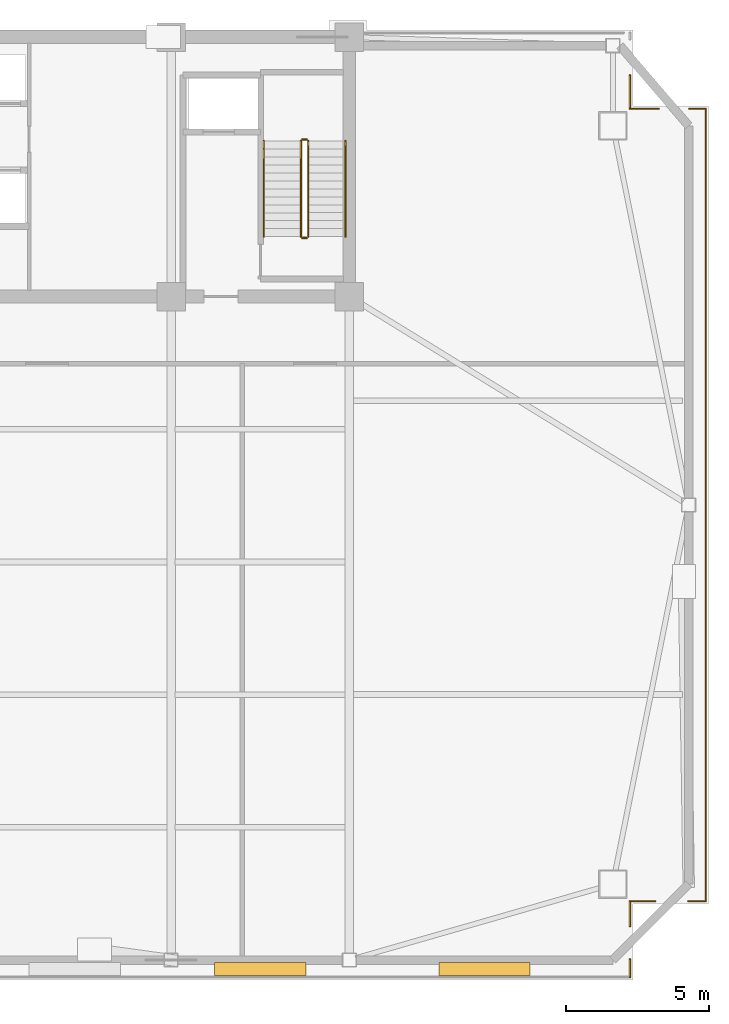
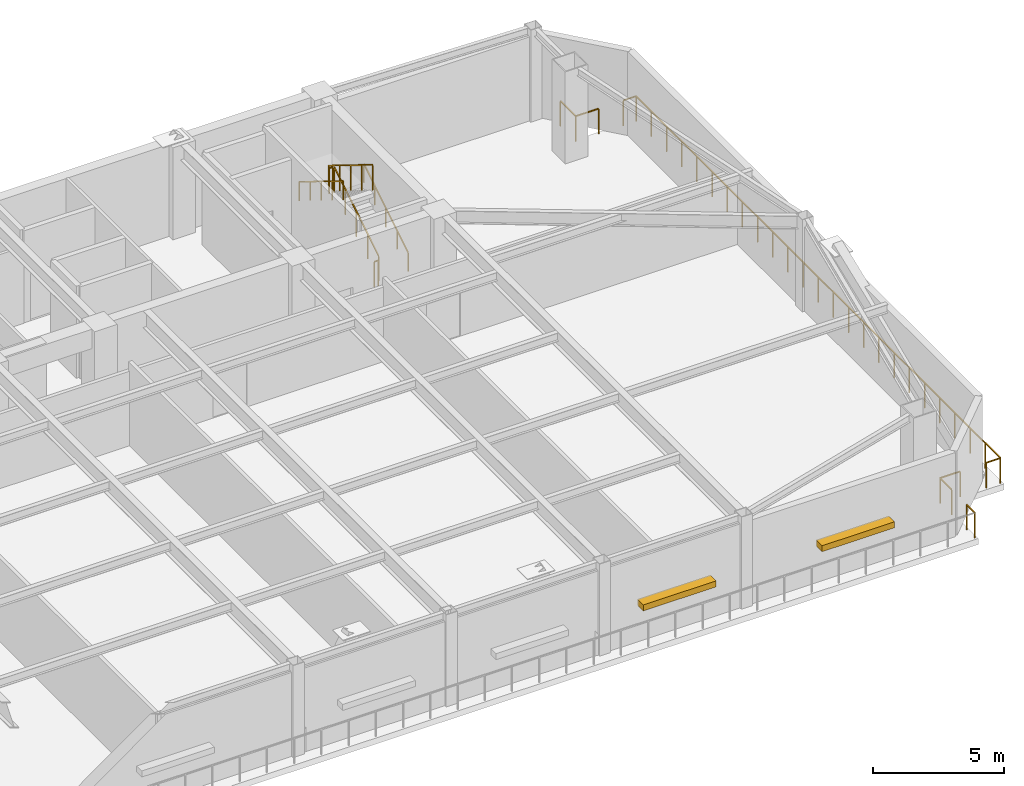
# One storey, part 7 of 9: 14 railings, 2 shading devices.
"""IFC4 building model written with IfcOpenShell, lengths in metres."""

from ifc_helpers import new_model, si_unit, direction, frame, origin, origin_2d, place, context, subcontext, project, spatial, rectangle, extrude, source, transform, mapped, material, type_object, element, save


model = new_model("IFC4")

# Units and contexts
model_context = context("Model", 3, precision=1e-05, world=origin(), true_north=direction((0.0, 1.0)))
body_context = subcontext(model_context, "Body", "Model", "MODEL_VIEW")
ifc_project = project(units=[si_unit("LENGTHUNIT", "METRE"), si_unit("AREAUNIT", "SQUARE_METRE"), si_unit("VOLUMEUNIT", "CUBIC_METRE"), si_unit("PLANEANGLEUNIT", "RADIAN"), si_unit("MASSUNIT", "GRAM", prefix="KILO")], contexts=[model_context])

# Site, building, storey
site_placement = place(None, origin())
site = spatial("IfcSite", under=ifc_project, at=site_placement, CompositionType="ELEMENT")
building_placement = place(site_placement, origin())
building = spatial("IfcBuilding", under=site, at=building_placement, Name="Giltprow Tower", CompositionType="ELEMENT")
storey_placement = place(building_placement, frame((0.0, 0.0, 237.199951171875)))
storey = spatial("IfcBuildingStorey", under=building, at=storey_placement, Name="L60", CompositionType="ELEMENT", Elevation=237.199951171875)

# Railings
ifc_material = material(Name="Anodized bronze", Category="metal")
railing_type_1 = type_object("IfcRailingType", Name="RAIL-BALC-GUARD-1200", PredefinedType="BALUSTRADE", material=ifc_material)
railing_1_placement = place(storey_placement, frame((63.052001953125, 44.0390625, 0.0)))
element("IfcRailing", 1, at=railing_1_placement, inside=storey, type_object=railing_type_1, Name="L60 Corner Apron Edge Balustrade 1", PredefinedType="BALUSTRADE", context=body_context, shape_type="SweptSolid", body=[
    extrude(rectangle(XDim=0.048095703125, YDim=0.048095703125, at=origin_2d()), frame((0.0, 0.0, 1.17578125), z_axis=(0.0, -1.0, 0.0), x_axis=(1.0, 0.0, 0.0)), (0.0, 0.0, 1.0), 27.796142578125),
    extrude(rectangle(XDim=0.0419921875, YDim=0.0419921875, at=origin_2d()), origin(), (0.0, 0.0, 1.0), 1.15185546875),
    extrude(rectangle(XDim=0.0419921875, YDim=0.0419921875, at=origin_2d()), frame((0.0, -1.158203125, 0.0)), (0.0, 0.0, 1.0), 1.15185546875),
    extrude(rectangle(XDim=0.0419921875, YDim=0.0419921875, at=origin_2d()), frame((0.0, -2.31640625, 0.0)), (0.0, 0.0, 1.0), 1.15185546875),
    extrude(rectangle(XDim=0.0419921875, YDim=0.0419921875, at=origin_2d()), frame((0.0, -3.474609375, 0.0)), (0.0, 0.0, 1.0), 1.15185546875),
    extrude(rectangle(XDim=0.0419921875, YDim=0.0419921875, at=origin_2d()), frame((0.0, -4.6328125, 0.0)), (0.0, 0.0, 1.0), 1.15185546875),
    extrude(rectangle(XDim=0.0419921875, YDim=0.0419921875, at=origin_2d()), frame((0.0, -5.790771484375, 0.0)), (0.0, 0.0, 1.0), 1.15185546875),
    extrude(rectangle(XDim=0.0419921875, YDim=0.0419921875, at=origin_2d()), frame((0.0, -6.948974609375, 0.0)), (0.0, 0.0, 1.0), 1.15185546875),
    extrude(rectangle(XDim=0.0419921875, YDim=0.0419921875, at=origin_2d()), frame((0.0, -8.107177734375, 0.0)), (0.0, 0.0, 1.0), 1.15185546875),
    extrude(rectangle(XDim=0.0419921875, YDim=0.0419921875, at=origin_2d()), frame((0.0, -9.265380859375, 0.0)), (0.0, 0.0, 1.0), 1.15185546875),
    extrude(rectangle(XDim=0.0419921875, YDim=0.0419921875, at=origin_2d()), frame((0.0, -10.423583984375, 0.0)), (0.0, 0.0, 1.0), 1.15185546875),
    extrude(rectangle(XDim=0.0419921875, YDim=0.0419921875, at=origin_2d()), frame((0.0, -11.581787109375, 0.0)), (0.0, 0.0, 1.0), 1.15185546875),
    extrude(rectangle(XDim=0.0419921875, YDim=0.0419921875, at=origin_2d()), frame((0.0, -12.739990234375, 0.0)), (0.0, 0.0, 1.0), 1.15185546875),
    extrude(rectangle(XDim=0.0419921875, YDim=0.0419921875, at=origin_2d()), frame((0.0, -13.89794921875, 0.0)), (0.0, 0.0, 1.0), 1.15185546875),
    extrude(rectangle(XDim=0.0419921875, YDim=0.0419921875, at=origin_2d()), frame((0.0, -15.05615234375, 0.0)), (0.0, 0.0, 1.0), 1.15185546875),
    extrude(rectangle(XDim=0.0419921875, YDim=0.0419921875, at=origin_2d()), frame((0.0, -16.21435546875, 0.0)), (0.0, 0.0, 1.0), 1.15185546875),
    extrude(rectangle(XDim=0.0419921875, YDim=0.0419921875, at=origin_2d()), frame((0.0, -17.37255859375, 0.0)), (0.0, 0.0, 1.0), 1.15185546875),
    extrude(rectangle(XDim=0.0419921875, YDim=0.0419921875, at=origin_2d()), frame((0.0, -18.53076171875, 0.0)), (0.0, 0.0, 1.0), 1.15185546875),
    extrude(rectangle(XDim=0.0419921875, YDim=0.0419921875, at=origin_2d()), frame((0.0, -19.68896484375, 0.0)), (0.0, 0.0, 1.0), 1.15185546875),
    extrude(rectangle(XDim=0.0419921875, YDim=0.0419921875, at=origin_2d()), frame((0.0, -20.84716796875, 0.0)), (0.0, 0.0, 1.0), 1.15185546875),
    extrude(rectangle(XDim=0.0419921875, YDim=0.0419921875, at=origin_2d()), frame((0.0, -22.00537109375, 0.0)), (0.0, 0.0, 1.0), 1.15185546875),
    extrude(rectangle(XDim=0.0419921875, YDim=0.0419921875, at=origin_2d()), frame((0.0, -23.16357421875, 0.0)), (0.0, 0.0, 1.0), 1.15185546875),
    extrude(rectangle(XDim=0.0419921875, YDim=0.0419921875, at=origin_2d()), frame((0.0, -24.321533203125, 0.0)), (0.0, 0.0, 1.0), 1.15185546875),
    extrude(rectangle(XDim=0.0419921875, YDim=0.0419921875, at=origin_2d()), frame((0.0, -25.479736328125, 0.0)), (0.0, 0.0, 1.0), 1.15185546875),
    extrude(rectangle(XDim=0.0419921875, YDim=0.0419921875, at=origin_2d()), frame((0.0, -26.637939453125, 0.0)), (0.0, 0.0, 1.0), 1.15185546875),
    extrude(rectangle(XDim=0.0419921875, YDim=0.0419921875, at=origin_2d()), frame((0.0, -27.796142578125, 0.0)), (0.0, 0.0, 1.0), 1.15185546875),
])
railing_2_placement = place(storey_placement, frame((63.052001953125, 16.242919921875, 0.0)))
element("IfcRailing", 2, at=railing_2_placement, inside=storey, type_object=railing_type_1, Name="L60 Corner Apron Edge Balustrade 2", PredefinedType="BALUSTRADE", context=body_context, shape_type="SweptSolid", body=[
    extrude(rectangle(XDim=0.048095703125, YDim=0.048095703125, at=origin_2d()), frame((0.0, 0.0, 1.17578125), z_axis=(-1.0, 0.0, 0.0), x_axis=(0.0, -1.0, 0.0)), (0.0, 0.0, 1.0), 0.6201171875),
    extrude(rectangle(XDim=0.0419921875, YDim=0.0419921875, at=origin_2d()), origin(), (0.0, 0.0, 1.0), 1.15185546875),
    extrude(rectangle(XDim=0.0419921875, YDim=0.0419921875, at=origin_2d()), frame((-0.6201171875, 0.0, 0.0)), (0.0, 0.0, 1.0), 1.15185546875),
])
railing_3_placement = place(storey_placement, frame((61.27197265625, 16.242919921875, 0.0)))
element("IfcRailing", 3, at=railing_3_placement, inside=storey, type_object=railing_type_1, Name="L60 Corner Apron Edge Balustrade 3", PredefinedType="BALUSTRADE", context=body_context, shape_type="SweptSolid", body=[
    extrude(rectangle(XDim=0.048095703125, YDim=0.048095703125, at=origin_2d()), frame((0.0, 0.0, 1.17578125), z_axis=(-1.0, 0.0, 0.0), x_axis=(0.0, -1.0, 0.0)), (0.0, 0.0, 1.0), 0.880859375),
    extrude(rectangle(XDim=0.0419921875, YDim=0.0419921875, at=origin_2d()), origin(), (0.0, 0.0, 1.0), 1.15185546875),
    extrude(rectangle(XDim=0.0419921875, YDim=0.0419921875, at=origin_2d()), frame((-0.880859375, 0.0, 0.0)), (0.0, 0.0, 1.0), 1.15185546875),
])
railing_4_placement = place(storey_placement, frame((60.39111328125, 16.242919921875, 0.0)))
element("IfcRailing", 4, at=railing_4_placement, inside=storey, type_object=railing_type_1, Name="L60 Corner Apron Edge Balustrade 4", PredefinedType="BALUSTRADE", context=body_context, shape_type="SweptSolid", body=[
    extrude(rectangle(XDim=0.048095703125, YDim=0.048095703125, at=origin_2d()), frame((0.0, 0.0, 1.17578125), z_axis=(0.0, -1.0, 0.0), x_axis=(1.0, 0.0, 0.0)), (0.0, 0.0, 1.0), 0.880859375),
    extrude(rectangle(XDim=0.0419921875, YDim=0.0419921875, at=origin_2d()), origin(), (0.0, 0.0, 1.0), 1.15185546875),
    extrude(rectangle(XDim=0.0419921875, YDim=0.0419921875, at=origin_2d()), frame((0.0, -0.880859375, 0.0)), (0.0, 0.0, 1.0), 1.15185546875),
])
railing_5_placement = place(storey_placement, frame((60.39111328125, 14.201904296875, 0.0)))
element("IfcRailing", 5, at=railing_5_placement, inside=storey, type_object=railing_type_1, Name="L60 Corner Apron Edge Balustrade 5", PredefinedType="BALUSTRADE", context=body_context, shape_type="SweptSolid", body=[
    extrude(rectangle(XDim=0.048095703125, YDim=0.048095703125, at=origin_2d()), frame((0.0, 0.0, 1.17578125), z_axis=(0.0, -1.0, 0.0), x_axis=(1.0, 0.0, 0.0)), (0.0, 0.0, 1.0), 0.619873046875),
    extrude(rectangle(XDim=0.0419921875, YDim=0.0419921875, at=origin_2d()), origin(), (0.0, 0.0, 1.0), 1.15185546875),
    extrude(rectangle(XDim=0.0419921875, YDim=0.0419921875, at=origin_2d()), frame((0.0, -0.619873046875, 0.0)), (0.0, 0.0, 1.0), 1.15185546875),
])
railing_6_placement = place(storey_placement, frame((60.39111328125, 45.2119140625, 0.0)))
element("IfcRailing", 6, at=railing_6_placement, inside=storey, type_object=railing_type_1, Name="L60 Corner Apron Edge Balustrade 19", PredefinedType="BALUSTRADE", context=body_context, shape_type="SweptSolid", body=[
    extrude(rectangle(XDim=0.048095703125, YDim=0.048095703125, at=origin_2d()), frame((0.0, 0.0, 1.17578125), z_axis=(0.0, -1.0, 0.0), x_axis=(1.0, 0.0, 0.0)), (0.0, 0.0, 1.0), 1.1728515625),
    extrude(rectangle(XDim=0.0419921875, YDim=0.0419921875, at=origin_2d()), origin(), (0.0, 0.0, 1.0), 1.15185546875),
    extrude(rectangle(XDim=0.0419921875, YDim=0.0419921875, at=origin_2d()), frame((0.0, -1.1728515625, 0.0)), (0.0, 0.0, 1.0), 1.15185546875),
])
railing_7_placement = place(storey_placement, frame((60.39111328125, 44.0390625, 0.0)))
element("IfcRailing", 7, at=railing_7_placement, inside=storey, type_object=railing_type_1, Name="L60 Corner Apron Edge Balustrade 20", PredefinedType="BALUSTRADE", context=body_context, shape_type="SweptSolid", body=[
    extrude(rectangle(XDim=0.048095703125, YDim=0.048095703125, at=origin_2d()), frame((0.0, 0.0, 1.17578125), z_axis=(1.0, 0.0, 0.0), x_axis=(0.0, 1.0, 0.0)), (0.0, 0.0, 1.0), 1.005859375),
    extrude(rectangle(XDim=0.0419921875, YDim=0.0419921875, at=origin_2d()), origin(), (0.0, 0.0, 1.0), 1.15185546875),
    extrude(rectangle(XDim=0.0419921875, YDim=0.0419921875, at=origin_2d()), frame((1.005859375, 0.0, 0.0)), (0.0, 0.0, 1.0), 1.15185546875),
])
railing_8_placement = place(storey_placement, frame((62.47802734375, 44.0390625, 0.0)))
element("IfcRailing", 8, at=railing_8_placement, inside=storey, type_object=railing_type_1, Name="L60 Corner Apron Edge Balustrade 21", PredefinedType="BALUSTRADE", context=body_context, shape_type="SweptSolid", body=[
    extrude(rectangle(XDim=0.048095703125, YDim=0.048095703125, at=origin_2d()), frame((0.0, 0.0, 1.17578125), z_axis=(1.0, 0.0, 0.0), x_axis=(0.0, 1.0, 0.0)), (0.0, 0.0, 1.0), 0.573974609375),
    extrude(rectangle(XDim=0.0419921875, YDim=0.0419921875, at=origin_2d()), origin(), (0.0, 0.0, 1.0), 1.15185546875),
    extrude(rectangle(XDim=0.0419921875, YDim=0.0419921875, at=origin_2d()), frame((0.573974609375, 0.0, 0.0)), (0.0, 0.0, 1.0), 1.15185546875),
])
railing_type_2 = type_object("IfcRailingType", Name="RAIL-STAIR-GUARD-1200", PredefinedType="GUARDRAIL", material=ifc_material)
railing_9_placement = place(storey_placement, frame((49.110107421875, 39.550048828125, 0.173095703125)))
element("IfcRailing", 9, at=railing_9_placement, inside=storey, type_object=railing_type_2, Name="L60 ST-3 stair guard 1", PredefinedType="GUARDRAIL", context=body_context, shape_type="SweptSolid", body=[
    extrude(rectangle(XDim=0.048095703125, YDim=0.048095703125, at=origin_2d()), frame((0.0, 0.0, 1.17578125), z_axis=(0.0, 0.850606129759, 0.525803396734), x_axis=(-1.0, 0.0, 0.0)), (0.0, 0.0, 1.0), 3.949951171875),
    extrude(rectangle(XDim=0.0419921875, YDim=0.0419921875, at=origin_2d()), origin(), (0.0, 0.0, 1.0), 1.15185546875),
    extrude(rectangle(XDim=0.0419921875, YDim=0.0419921875, at=origin_2d()), frame((0.0, 0.83984375, 0.519287109375)), (0.0, 0.0, 1.0), 1.15185546875),
    extrude(rectangle(XDim=0.0419921875, YDim=0.0419921875, at=origin_2d()), frame((0.0, 1.679931640625, 1.03857421875)), (0.0, 0.0, 1.0), 1.15185546875),
    extrude(rectangle(XDim=0.0419921875, YDim=0.0419921875, at=origin_2d()), frame((0.0, 2.52001953125, 1.5576171875)), (0.0, 0.0, 1.0), 1.15185546875),
    extrude(rectangle(XDim=0.0419921875, YDim=0.0419921875, at=origin_2d()), frame((0.0, 3.35986328125, 2.076904296875)), (0.0, 0.0, 1.0), 1.15185546875),
])
railing_10_placement = place(storey_placement, frame((49.06005859375, 42.9599609375, 2.25)))
element("IfcRailing", 10, at=railing_10_placement, inside=storey, type_object=railing_type_2, Name="L60 ST-3 stair guard 2", PredefinedType="GUARDRAIL", context=body_context, shape_type="SweptSolid", body=[
    extrude(rectangle(XDim=0.048095703125, YDim=0.048095703125, at=origin_2d()), frame((0.0, 0.0, 1.17578125), z_axis=(-1.0, 0.0, 0.0), x_axis=(0.0, -1.0, 0.0)), (0.0, 0.0, 1.0), 0.16015625),
    extrude(rectangle(XDim=0.0419921875, YDim=0.0419921875, at=origin_2d()), origin(), (0.0, 0.0, 1.0), 1.15185546875),
    extrude(rectangle(XDim=0.0419921875, YDim=0.0419921875, at=origin_2d()), frame((-0.16015625, 0.0, 0.0)), (0.0, 0.0, 1.0), 1.15185546875),
])
railing_11_placement = place(storey_placement, frame((48.85009765625, 42.909912109375, 2.423095703125)))
element("IfcRailing", 11, at=railing_11_placement, inside=storey, type_object=railing_type_2, Name="L60 ST-3 stair guard 3", PredefinedType="GUARDRAIL", context=body_context, shape_type="SweptSolid", body=[
    extrude(rectangle(XDim=0.048095703125, YDim=0.048095703125, at=origin_2d()), frame((0.0, 0.0, 1.17578125), z_axis=(0.0, -0.850606129759, 0.525803396734), x_axis=(1.0, 0.0, 0.0)), (0.0, 0.0, 1.0), 3.949951171875),
    extrude(rectangle(XDim=0.0419921875, YDim=0.0419921875, at=origin_2d()), origin(), (0.0, 0.0, 1.0), 1.15185546875),
    extrude(rectangle(XDim=0.0419921875, YDim=0.0419921875, at=origin_2d()), frame((0.0, -0.83984375, 0.519287109375)), (0.0, 0.0, 1.0), 1.15185546875),
    extrude(rectangle(XDim=0.0419921875, YDim=0.0419921875, at=origin_2d()), frame((0.0, -1.679931640625, 1.03857421875)), (0.0, 0.0, 1.0), 1.15185546875),
    extrude(rectangle(XDim=0.0419921875, YDim=0.0419921875, at=origin_2d()), frame((0.0, -2.52001953125, 1.5576171875)), (0.0, 0.0, 1.0), 1.15185546875),
    extrude(rectangle(XDim=0.0419921875, YDim=0.0419921875, at=origin_2d()), frame((0.0, -3.35986328125, 2.076904296875)), (0.0, 0.0, 1.0), 1.15185546875),
])
railing_12_placement = place(storey_placement, frame((49.06005859375, 39.5, 0.0)))
element("IfcRailing", 12, at=railing_12_placement, inside=storey, type_object=railing_type_2, Name="L60 ST-3 stair guard 4", PredefinedType="GUARDRAIL", context=body_context, shape_type="SweptSolid", body=[
    extrude(rectangle(XDim=0.048095703125, YDim=0.048095703125, at=origin_2d()), frame((0.0, 0.0, 1.17578125), z_axis=(-1.0, 0.0, 0.0), x_axis=(0.0, -1.0, 0.0)), (0.0, 0.0, 1.0), 0.16015625),
    extrude(rectangle(XDim=0.0419921875, YDim=0.0419921875, at=origin_2d()), origin(), (0.0, 0.0, 1.0), 1.15185546875),
    extrude(rectangle(XDim=0.0419921875, YDim=0.0419921875, at=origin_2d()), frame((-0.16015625, 0.0, 0.0)), (0.0, 0.0, 1.0), 1.15185546875),
])
railing_type_3 = type_object("IfcRailingType", Name="RAIL-STAIR-HAND-900", PredefinedType="HANDRAIL", material=ifc_material)
railing_13_placement = place(storey_placement, frame((50.409912109375, 39.550048828125, 0.173095703125)))
element("IfcRailing", 13, at=railing_13_placement, inside=storey, type_object=railing_type_3, Name="L60 ST-3 stair handrail 1", PredefinedType="HANDRAIL", context=body_context, shape_type="SweptSolid", body=[
    extrude(rectangle(XDim=0.048095703125, YDim=0.048095703125, at=origin_2d()), frame((0.0, 0.0, 0.8759765625), z_axis=(0.0, 0.850606129759, 0.525803396734), x_axis=(-1.0, 0.0, 0.0)), (0.0, 0.0, 1.0), 3.949951171875),
    extrude(rectangle(XDim=0.0419921875, YDim=0.0419921875, at=origin_2d()), origin(), (0.0, 0.0, 1.0), 0.851806640625),
    extrude(rectangle(XDim=0.0419921875, YDim=0.0419921875, at=origin_2d()), frame((0.0, 0.83984375, 0.519287109375)), (0.0, 0.0, 1.0), 0.851806640625),
    extrude(rectangle(XDim=0.0419921875, YDim=0.0419921875, at=origin_2d()), frame((0.0, 1.679931640625, 1.03857421875)), (0.0, 0.0, 1.0), 0.851806640625),
    extrude(rectangle(XDim=0.0419921875, YDim=0.0419921875, at=origin_2d()), frame((0.0, 2.52001953125, 1.5576171875)), (0.0, 0.0, 1.0), 0.851806640625),
    extrude(rectangle(XDim=0.0419921875, YDim=0.0419921875, at=origin_2d()), frame((0.0, 3.35986328125, 2.076904296875)), (0.0, 0.0, 1.0), 0.851806640625),
])
railing_14_placement = place(storey_placement, frame((47.550048828125, 42.909912109375, 2.423095703125)))
element("IfcRailing", 14, at=railing_14_placement, inside=storey, type_object=railing_type_3, Name="L60 ST-3 stair handrail 2", PredefinedType="HANDRAIL", context=body_context, shape_type="SweptSolid", body=[
    extrude(rectangle(XDim=0.048095703125, YDim=0.048095703125, at=origin_2d()), frame((0.0, 0.0, 0.8759765625), z_axis=(0.0, -0.850606129759, 0.525803396734), x_axis=(1.0, 0.0, 0.0)), (0.0, 0.0, 1.0), 3.949951171875),
    extrude(rectangle(XDim=0.0419921875, YDim=0.0419921875, at=origin_2d()), origin(), (0.0, 0.0, 1.0), 0.851806640625),
    extrude(rectangle(XDim=0.0419921875, YDim=0.0419921875, at=origin_2d()), frame((0.0, -0.83984375, 0.519287109375)), (0.0, 0.0, 1.0), 0.851806640625),
    extrude(rectangle(XDim=0.0419921875, YDim=0.0419921875, at=origin_2d()), frame((0.0, -1.679931640625, 1.03857421875)), (0.0, 0.0, 1.0), 0.851806640625),
    extrude(rectangle(XDim=0.0419921875, YDim=0.0419921875, at=origin_2d()), frame((0.0, -2.52001953125, 1.5576171875)), (0.0, 0.0, 1.0), 0.851806640625),
    extrude(rectangle(XDim=0.0419921875, YDim=0.0419921875, at=origin_2d()), frame((0.0, -3.35986328125, 2.076904296875)), (0.0, 0.0, 1.0), 0.851806640625),
])

# Shading devices
shading_device_type = type_object("IfcShadingDeviceType", Name="SHD-LOUVRE-320", PredefinedType="JALOUSIE", material=ifc_material)
shared_shape = source(origin(), body_context, "Body", "SweptSolid", [
    extrude(rectangle(XDim=3.199951171875, YDim=0.449951171875, at=origin_2d()), origin(), (0.0, 0.0, 1.0), 0.280029296875),
])
for number, where, z_axis, x_axis, name in (
    (15, (47.425048828125, 13.8720703125, 1.66015625), (0.0, 0.0, 1.0), (1.0, 0.0, 0.0), "L60 Refuge Intake Louvre S-5"),
    (16, (55.294921875, 13.8720703125, 1.66015625), (0.0, 0.0, 1.0), (1.0, 0.0, 0.0), "L60 Refuge Intake Louvre S-6"),
):
    element("IfcShadingDevice", number, at=place(storey_placement, frame(where, z_axis=z_axis, x_axis=x_axis)), inside=storey, type_object=shading_device_type, Name=name, PredefinedType="JALOUSIE", context=body_context, shape_type="MappedRepresentation", body=[
        mapped(shared_shape, transform((0.0, 0.0, 0.0), x_axis=(1.0, 0.0, 0.0), y_axis=(0.0, 1.0, 0.0), z_axis=(0.0, 0.0, 1.0), scale=1.0)),
    ])

save(model, "model.ifc")
